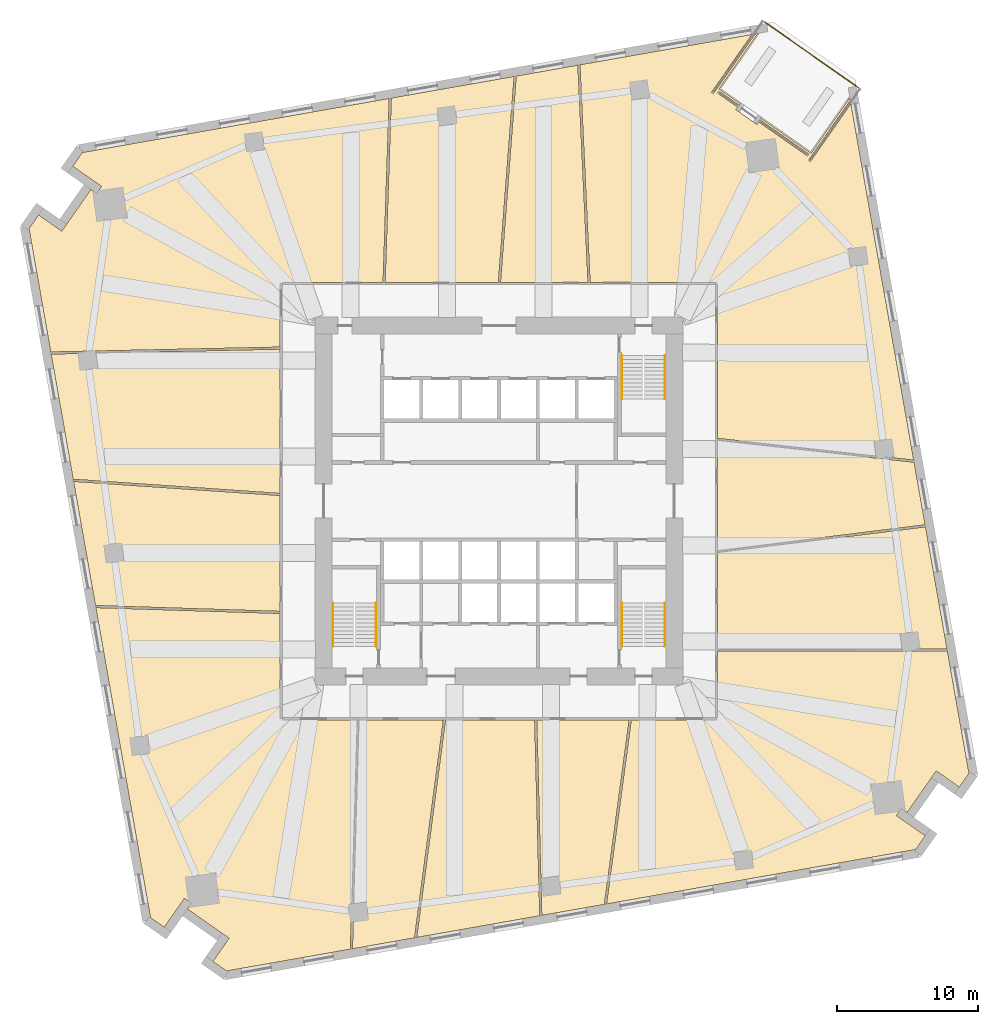
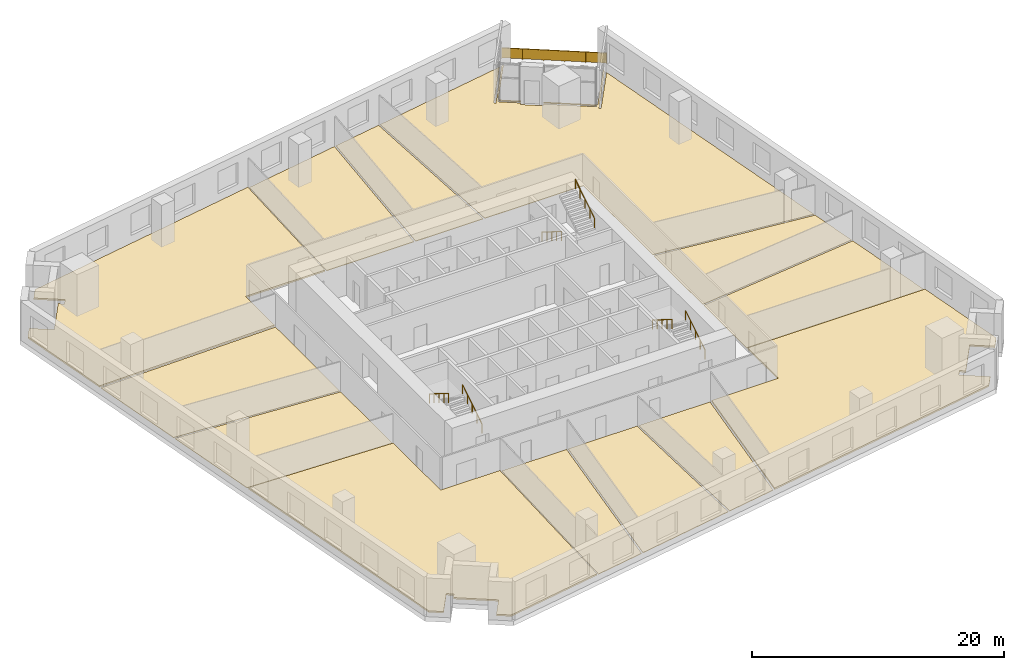
# One storey, part 9 of 10: 13 coverings, 7 railings.
"""IFC4 building model written with IfcOpenShell, lengths in metres."""

from ifc_helpers import new_model, si_unit, direction, frame, origin, origin_2d, place, context, subcontext, project, spatial, polyline, rectangle, circle, outline, extrude, material, layer, layer_set, type_object, element, save


model = new_model("IFC4")

# Units and contexts
model_context = context("Model", 3, precision=1e-05, world=origin(), true_north=direction((0.0, 1.0)))
body_context = subcontext(model_context, "Body", "Model", "MODEL_VIEW")
ifc_project = project(units=[si_unit("LENGTHUNIT", "METRE"), si_unit("AREAUNIT", "SQUARE_METRE"), si_unit("VOLUMEUNIT", "CUBIC_METRE"), si_unit("PLANEANGLEUNIT", "RADIAN"), si_unit("MASSUNIT", "GRAM", prefix="KILO")], contexts=[model_context])

# Site, building, storey
site_placement = place(None, origin())
site = spatial("IfcSite", under=ifc_project, at=site_placement, CompositionType="ELEMENT")
building_placement = place(site_placement, origin())
building = spatial("IfcBuilding", under=site, at=building_placement, Name="Dilmun Exchange Tower", CompositionType="ELEMENT")
storey_placement = place(building_placement, frame((0.0, 0.0, 59.699951171875)))
storey = spatial("IfcBuildingStorey", under=building, at=storey_placement, Name="L13", CompositionType="ELEMENT", Elevation=59.699951171875)

# Coverings
ifc_material_1 = material(Name="Carpet floor finish 50")
ifc_layer_1 = layer(ifc_material_1, 0.050048828125)
ifc_layer_set_1 = layer_set([ifc_layer_1], Name="Carpet floor finish 50")
covering_type_1 = type_object("IfcCoveringType", Name="Carpet floor finish 50", PredefinedType="FLOORING", material=ifc_layer_set_1)
covering_1_placement = place(storey_placement, origin())
element("IfcCovering", 1, at=covering_1_placement, inside=storey, type_object=covering_type_1, Name="Carpet floor finish 50 Settlement office 1", PredefinedType="FLOORING", context=body_context, shape_type="SweptSolid", body=[
    extrude(outline(polyline([(-15.47509765625, 10.740478515625), (-15.47509765625, 0.537841796875), (-30.122802734375, 1.539306640625), (-31.6845703125, 10.39599609375), (-15.47509765625, 10.740478515625)])), origin(), (0.0, 0.0, 1.0), 0.050048828125),
])
covering_2_placement = place(storey_placement, origin())
element("IfcCovering", 2, at=covering_2_placement, inside=storey, type_object=covering_type_1, Name="Carpet floor finish 50 Training room", PredefinedType="FLOORING", context=body_context, shape_type="SweptSolid", body=[
    extrude(outline(polyline([(-15.47509765625, 0.3876953125), (-15.47509765625, -7.806396484375), (-28.548095703125, -7.3916015625), (-30.09619140625, 1.38720703125), (-15.47509765625, 0.3876953125)])), origin(), (0.0, 0.0, 1.0), 0.050048828125),
])
covering_3_placement = place(storey_placement, origin())
element("IfcCovering", 3, at=covering_3_placement, inside=storey, type_object=covering_type_1, Name="Carpet floor finish 50 Settlement office 2", PredefinedType="FLOORING", context=body_context, shape_type="SweptSolid", body=[
    extrude(outline(polyline([(-9.8896484375, -15.47509765625), (-3.934814453125, -15.47509765625), (-5.976806640625, -30.905517578125), (-10.36474609375, -31.67919921875), (-9.8896484375, -15.47509765625)])), origin(), (0.0, 0.0, 1.0), 0.050048828125),
])
covering_4_placement = place(storey_placement, origin())
element("IfcCovering", 4, at=covering_4_placement, inside=storey, type_object=covering_type_1, Name="Carpet floor finish 50 Broker office 1", PredefinedType="FLOORING", context=body_context, shape_type="SweptSolid", body=[
    extrude(outline(polyline([(-0.044677734375, 15.47509765625), (-8.0537109375, 15.47509765625), (-7.616455078125, 28.508544921875), (1.068603515625, 30.0400390625), (-0.044677734375, 15.47509765625)])), origin(), (0.0, 0.0, 1.0), 0.050048828125),
])
covering_5_placement = place(storey_placement, origin())
element("IfcCovering", 5, at=covering_5_placement, inside=storey, type_object=covering_type_1, Name="Carpet floor finish 50 Settlement office 3", PredefinedType="FLOORING", context=body_context, shape_type="SweptSolid", body=[
    extrude(outline(polyline([(-3.783447265625, -15.47509765625), (2.5234375, -15.47509765625), (2.881103515625, -29.343505859375), (-5.822021484375, -30.878173828125), (-3.783447265625, -15.47509765625)])), origin(), (0.0, 0.0, 1.0), 0.050048828125),
])
covering_6_placement = place(storey_placement, origin())
element("IfcCovering", 6, at=covering_6_placement, inside=storey, type_object=covering_type_1, Name="Carpet floor finish 50 Broker office 2", PredefinedType="FLOORING", context=body_context, shape_type="SweptSolid", body=[
    extrude(outline(polyline([(6.29541015625, 15.47509765625), (0.10595703125, 15.47509765625), (1.22119140625, 30.06689453125), (5.5771484375, 30.8349609375), (6.29541015625, 15.47509765625)])), origin(), (0.0, 0.0, 1.0), 0.050048828125),
])
covering_7_placement = place(storey_placement, origin())
element("IfcCovering", 7, at=covering_7_placement, inside=storey, type_object=covering_type_1, Name="Carpet floor finish 50 Meeting room", PredefinedType="FLOORING", context=body_context, shape_type="SweptSolid", body=[
    extrude(outline(polyline([(2.67333984375, -15.47509765625), (9.2109375, -15.47509765625), (7.45361328125, -28.537353515625), (3.030517578125, -29.317138671875), (2.67333984375, -15.47509765625)])), origin(), (0.0, 0.0, 1.0), 0.050048828125),
])
covering_8_placement = place(storey_placement, origin())
element("IfcCovering", 8, at=covering_8_placement, inside=storey, type_object=covering_type_1, Name="Carpet floor finish 50 Garden lounge", PredefinedType="FLOORING", context=body_context, shape_type="SweptSolid", body=[
    extrude(outline(polyline([(15.5751953125, 29.15478515625), (17.0595703125, 28.115478515625), (16.9775390625, 27.998291015625), (15.5546875, 28.994873046875), (15.554443359375, 28.994873046875), (15.55419921875, 28.9951171875), (15.55419921875, 28.9951171875), (15.553955078125, 28.9951171875), (15.5537109375, 28.9951171875), (15.553466796875, 28.9951171875), (15.55322265625, 28.9951171875), (15.552978515625, 28.9951171875), (15.552978515625, 28.9951171875), (15.552734375, 28.9951171875), (15.552490234375, 28.994873046875), (15.552490234375, 28.994873046875), (15.55224609375, 28.99462890625), (15.552001953125, 28.99462890625), (15.552001953125, 28.994384765625), (15.5517578125, 28.994384765625), (15.460205078125, 28.86328125), (15.4599609375, 28.863037109375), (15.4599609375, 28.86279296875), (15.459716796875, 28.86279296875), (15.459716796875, 28.862548828125), (15.459716796875, 28.8623046875), (15.459716796875, 28.862060546875), (15.459716796875, 28.86181640625), (15.459716796875, 28.86181640625), (15.459716796875, 28.861572265625), (15.4599609375, 28.861328125), (15.4599609375, 28.861083984375), (15.4599609375, 28.861083984375), (15.460205078125, 28.86083984375), (15.460205078125, 28.860595703125), (15.46044921875, 28.860595703125), (15.460693359375, 28.8603515625), (16.883544921875, 27.864013671875), (16.758544921875, 27.685546875), (16.75830078125, 27.685302734375), (16.75830078125, 27.685302734375), (16.75830078125, 27.68505859375), (16.75830078125, 27.684814453125), (16.758056640625, 27.6845703125), (16.758056640625, 27.684326171875), (16.758056640625, 27.68408203125), (16.75830078125, 27.68408203125), (16.75830078125, 27.683837890625), (16.75830078125, 27.68359375), (16.75830078125, 27.68359375), (16.75830078125, 27.683349609375), (16.758544921875, 27.68310546875), (16.7587890625, 27.68310546875), (16.7587890625, 27.682861328125), (16.759033203125, 27.6826171875), (18.2333984375, 26.650146484375), (18.233642578125, 26.650146484375), (18.23388671875, 26.64990234375), (18.23388671875, 26.64990234375), (18.234130859375, 26.64990234375), (18.234375, 26.64990234375), (18.234619140625, 26.64990234375), (18.23486328125, 26.64990234375), (18.235107421875, 26.64990234375), (18.235107421875, 26.64990234375), (18.2353515625, 26.64990234375), (18.235595703125, 26.650146484375), (18.235595703125, 26.650146484375), (18.23583984375, 26.650390625), (18.236083984375, 26.650390625), (18.236083984375, 26.650634765625), (18.236328125, 26.650634765625), (18.361328125, 26.829345703125), (21.83203125, 24.39892578125), (21.832275390625, 24.39892578125), (21.83251953125, 24.398681640625), (21.83251953125, 24.398681640625), (21.832763671875, 24.398681640625), (21.8330078125, 24.398681640625), (21.833251953125, 24.398681640625), (21.83349609375, 24.398681640625), (21.83349609375, 24.398681640625), (21.833740234375, 24.398681640625), (21.833984375, 24.398681640625), (21.833984375, 24.39892578125), (21.834228515625, 24.39892578125), (21.83447265625, 24.399169921875), (21.834716796875, 24.399169921875), (21.834716796875, 24.3994140625), (21.8349609375, 24.3994140625), (21.926513671875, 24.530517578125), (21.9267578125, 24.53076171875), (21.9267578125, 24.531005859375), (21.927001953125, 24.531005859375), (21.927001953125, 24.53125), (21.927001953125, 24.531494140625), (21.927001953125, 24.53173828125), (21.927001953125, 24.531982421875), (21.927001953125, 24.531982421875), (21.927001953125, 24.5322265625), (21.927001953125, 24.532470703125), (21.9267578125, 24.53271484375), (21.9267578125, 24.53271484375), (21.926513671875, 24.532958984375), (21.926513671875, 24.533203125), (21.92626953125, 24.533203125), (21.926025390625, 24.533447265625), (18.455322265625, 26.963623046875), (18.537353515625, 27.080810546875), (22.069580078125, 24.607421875), (24.81982421875, 28.535400390625), (24.85498046875, 28.336181640625), (21.885498046875, 24.095458984375), (21.885498046875, 24.09521484375), (21.885498046875, 24.09521484375), (21.885498046875, 24.094970703125), (21.88525390625, 24.0947265625), (21.88525390625, 24.094482421875), (21.88525390625, 24.09423828125), (21.88525390625, 24.093994140625), (21.88525390625, 24.093994140625), (21.88525390625, 24.09375), (21.885498046875, 24.093505859375), (21.885498046875, 24.093505859375), (21.885498046875, 24.09326171875), (21.8857421875, 24.093017578125), (21.8857421875, 24.093017578125), (21.885986328125, 24.0927734375), (21.885986328125, 24.092529296875), (22.01708984375, 24.0009765625), (22.017333984375, 24.000732421875), (22.017578125, 24.000732421875), (22.017578125, 24.00048828125), (22.017822265625, 24.00048828125), (22.01806640625, 24.00048828125), (22.018310546875, 24.00048828125), (22.0185546875, 24.00048828125), (22.018798828125, 24.00048828125), (22.018798828125, 24.00048828125), (22.01904296875, 24.000732421875), (22.019287109375, 24.000732421875), (22.019287109375, 24.000732421875), (22.01953125, 24.0009765625), (22.019775390625, 24.001220703125), (22.02001953125, 24.001220703125), (22.02001953125, 24.00146484375), (24.895263671875, 28.10791015625), (29.34130859375, 2.892822265625), (15.47509765625, 4.431884765625), (15.47509765625, 15.47509765625), (6.445556640625, 15.47509765625), (5.72607421875, 30.861083984375), (17.89794921875, 33.007568359375), (15.022705078125, 28.90087890625), (15.0224609375, 28.90087890625), (15.0224609375, 28.900634765625), (15.0224609375, 28.900390625), (15.022216796875, 28.900146484375), (15.022216796875, 28.89990234375), (15.022216796875, 28.89990234375), (15.022216796875, 28.899658203125), (15.022216796875, 28.8994140625), (15.022216796875, 28.899169921875), (15.0224609375, 28.899169921875), (15.0224609375, 28.89892578125), (15.022705078125, 28.898681640625), (15.022705078125, 28.898681640625), (15.022705078125, 28.8984375), (15.02294921875, 28.898193359375), (15.023193359375, 28.898193359375), (15.154296875, 28.806396484375), (15.154296875, 28.806396484375), (15.154541015625, 28.80615234375), (15.15478515625, 28.80615234375), (15.15478515625, 28.80615234375), (15.155029296875, 28.805908203125), (15.1552734375, 28.805908203125), (15.155517578125, 28.805908203125), (15.15576171875, 28.805908203125), (15.156005859375, 28.80615234375), (15.156005859375, 28.80615234375), (15.15625, 28.80615234375), (15.156494140625, 28.806396484375), (15.156494140625, 28.806396484375), (15.15673828125, 28.806640625), (15.156982421875, 28.806640625), (15.156982421875, 28.806884765625), (18.12646484375, 33.047607421875), (18.32568359375, 33.082763671875), (15.5751953125, 29.15478515625)])), origin(), (0.0, 0.0, 1.0), 0.050048828125),
])
covering_9_placement = place(storey_placement, origin())
element("IfcCovering", 9, at=covering_9_placement, inside=storey, type_object=covering_type_1, Name="Carpet floor finish 50 Clearing office", PredefinedType="FLOORING", context=body_context, shape_type="SweptSolid", body=[
    extrude(outline(polyline([(15.47509765625, -3.50244140625), (15.47509765625, 4.281005859375), (29.368408203125, 2.739013671875), (30.1484375, -1.68359375), (15.47509765625, -3.50244140625)])), origin(), (0.0, 0.0, 1.0), 0.050048828125),
])
covering_10_placement = place(storey_placement, origin())
element("IfcCovering", 10, at=covering_10_placement, inside=storey, type_object=covering_type_1, Name="Carpet floor finish 50 Settlement office 4", PredefinedType="FLOORING", context=body_context, shape_type="SweptSolid", body=[
    extrude(outline(polyline([(15.47509765625, -10.462646484375), (15.47509765625, -3.653564453125), (30.174560546875, -1.83154296875), (31.697998046875, -10.47216796875), (15.47509765625, -10.462646484375)])), origin(), (0.0, 0.0, 1.0), 0.050048828125),
])
ifc_material_2 = material(Name="Raised access floor 150")
ifc_layer_2 = layer(ifc_material_2, 0.14990234375)
ifc_layer_set_2 = layer_set([ifc_layer_2], Name="Raised access floor 150")
covering_type_2 = type_object("IfcCoveringType", Name="Raised access floor 150", PredefinedType="FLOORING", material=ifc_layer_set_2)
covering_11_placement = place(storey_placement, origin())
element("IfcCovering", 11, at=covering_11_placement, inside=storey, type_object=covering_type_2, Name="Raised access floor 150 Market operations room 1", PredefinedType="FLOORING", context=body_context, shape_type="SweptSolid", body=[
    extrude(outline(polyline([(-8.20361328125, 15.47509765625), (-15.47509765625, 15.47509765625), (-15.47509765625, 10.890625), (-31.7109375, 10.54541015625), (-33.249267578125, 19.269775390625), (-32.570068359375, 20.23974609375), (-30.933349609375, 19.09375), (-30.933349609375, 19.093505859375), (-30.93310546875, 19.093505859375), (-30.932861328125, 19.093505859375), (-30.9326171875, 19.093505859375), (-30.9326171875, 19.093505859375), (-30.932373046875, 19.093505859375), (-30.93212890625, 19.093505859375), (-30.931884765625, 19.093505859375), (-30.931640625, 19.093505859375), (-30.931640625, 19.093505859375), (-30.931396484375, 19.093505859375), (-30.93115234375, 19.09375), (-30.930908203125, 19.09375), (-30.930908203125, 19.093994140625), (-30.930908203125, 19.093994140625), (-30.9306640625, 19.09423828125), (-30.58642578125, 19.585693359375), (-30.58642578125, 19.5859375), (-30.58642578125, 19.5859375), (-28.866943359375, 22.04150390625), (-28.460205078125, 21.756591796875), (-28.4599609375, 21.756591796875), (-28.459716796875, 21.756591796875), (-28.459716796875, 21.756591796875), (-28.45947265625, 21.75634765625), (-28.459228515625, 21.75634765625), (-28.458984375, 21.75634765625), (-28.458740234375, 21.75634765625), (-28.45849609375, 21.75634765625), (-28.45849609375, 21.75634765625), (-28.458251953125, 21.756591796875), (-28.4580078125, 21.756591796875), (-28.4580078125, 21.756591796875), (-28.457763671875, 21.7568359375), (-28.45751953125, 21.7568359375), (-28.45751953125, 21.757080078125), (-28.457275390625, 21.757080078125), (-28.11328125, 22.248779296875), (-28.113037109375, 22.248779296875), (-28.113037109375, 22.2490234375), (-28.11279296875, 22.249267578125), (-28.11279296875, 22.24951171875), (-28.11279296875, 22.24951171875), (-28.11279296875, 22.249755859375), (-28.11279296875, 22.25), (-28.11279296875, 22.250244140625), (-28.11279296875, 22.25048828125), (-28.113037109375, 22.25048828125), (-28.113037109375, 22.250732421875), (-28.113037109375, 22.2509765625), (-28.11328125, 22.251220703125), (-28.11328125, 22.251220703125), (-28.113525390625, 22.25146484375), (-28.11376953125, 22.25146484375), (-30.15869140625, 23.683349609375), (-29.4794921875, 24.653564453125), (-7.767333984375, 28.48193359375), (-8.20361328125, 15.47509765625)])), origin(), (0.0, 0.0, 1.0), 0.150146484375),
])
covering_12_placement = place(storey_placement, origin())
element("IfcCovering", 12, at=covering_12_placement, inside=storey, type_object=covering_type_2, Name="Raised access floor 150 Market operations room 2", PredefinedType="FLOORING", context=body_context, shape_type="SweptSolid", body=[
    extrude(outline(polyline([(-15.47509765625, -7.956298828125), (-15.47509765625, -15.47509765625), (-10.03955078125, -15.47509765625), (-10.515380859375, -31.705810546875), (-19.269775390625, -33.249267578125), (-20.23974609375, -32.570068359375), (-19.09375, -30.933349609375), (-19.093505859375, -30.933349609375), (-19.093505859375, -30.93310546875), (-19.093505859375, -30.932861328125), (-19.093505859375, -30.9326171875), (-19.093505859375, -30.9326171875), (-19.093505859375, -30.932373046875), (-19.093505859375, -30.93212890625), (-19.093505859375, -30.931884765625), (-19.093505859375, -30.931640625), (-19.093505859375, -30.931640625), (-19.093505859375, -30.931396484375), (-19.09375, -30.93115234375), (-19.09375, -30.930908203125), (-19.093994140625, -30.930908203125), (-19.093994140625, -30.930908203125), (-19.09423828125, -30.9306640625), (-19.585693359375, -30.58642578125), (-19.5859375, -30.58642578125), (-19.5859375, -30.58642578125), (-22.04150390625, -28.866943359375), (-21.756591796875, -28.460205078125), (-21.756591796875, -28.4599609375), (-21.756591796875, -28.459716796875), (-21.756591796875, -28.459716796875), (-21.75634765625, -28.45947265625), (-21.75634765625, -28.459228515625), (-21.75634765625, -28.458984375), (-21.75634765625, -28.458740234375), (-21.75634765625, -28.45849609375), (-21.75634765625, -28.45849609375), (-21.756591796875, -28.458251953125), (-21.756591796875, -28.4580078125), (-21.756591796875, -28.4580078125), (-21.7568359375, -28.457763671875), (-21.7568359375, -28.45751953125), (-21.757080078125, -28.45751953125), (-21.757080078125, -28.457275390625), (-22.248779296875, -28.11328125), (-22.248779296875, -28.113037109375), (-22.2490234375, -28.113037109375), (-22.249267578125, -28.11279296875), (-22.24951171875, -28.11279296875), (-22.24951171875, -28.11279296875), (-22.249755859375, -28.11279296875), (-22.25, -28.11279296875), (-22.250244140625, -28.11279296875), (-22.25048828125, -28.11279296875), (-22.25048828125, -28.113037109375), (-22.250732421875, -28.113037109375), (-22.2509765625, -28.113037109375), (-22.251220703125, -28.11328125), (-22.251220703125, -28.11328125), (-22.25146484375, -28.113525390625), (-22.25146484375, -28.11376953125), (-23.683349609375, -30.15869140625), (-24.653564453125, -29.4794921875), (-28.521484375, -7.54248046875), (-15.47509765625, -7.956298828125)])), origin(), (0.0, 0.0, 1.0), 0.150146484375),
])
covering_13_placement = place(storey_placement, origin())
element("IfcCovering", 13, at=covering_13_placement, inside=storey, type_object=covering_type_2, Name="Raised access floor 150 Market operations room 3", PredefinedType="FLOORING", context=body_context, shape_type="SweptSolid", body=[
    extrude(outline(polyline([(9.3623046875, -15.47509765625), (15.47509765625, -15.47509765625), (15.47509765625, -10.61279296875), (31.724609375, -10.6220703125), (33.249267578125, -19.269775390625), (32.570068359375, -20.23974609375), (30.933349609375, -19.09375), (30.933349609375, -19.093505859375), (30.93310546875, -19.093505859375), (30.932861328125, -19.093505859375), (30.9326171875, -19.093505859375), (30.9326171875, -19.093505859375), (30.932373046875, -19.093505859375), (30.93212890625, -19.093505859375), (30.931884765625, -19.093505859375), (30.931640625, -19.093505859375), (30.931640625, -19.093505859375), (30.931396484375, -19.093505859375), (30.93115234375, -19.09375), (30.930908203125, -19.09375), (30.930908203125, -19.093994140625), (30.930908203125, -19.093994140625), (30.9306640625, -19.09423828125), (30.58642578125, -19.585693359375), (30.58642578125, -19.5859375), (30.58642578125, -19.5859375), (28.866943359375, -22.04150390625), (28.460205078125, -21.756591796875), (28.4599609375, -21.756591796875), (28.459716796875, -21.756591796875), (28.459716796875, -21.756591796875), (28.45947265625, -21.75634765625), (28.459228515625, -21.75634765625), (28.458984375, -21.75634765625), (28.458740234375, -21.75634765625), (28.45849609375, -21.75634765625), (28.45849609375, -21.75634765625), (28.458251953125, -21.756591796875), (28.4580078125, -21.756591796875), (28.4580078125, -21.756591796875), (28.457763671875, -21.7568359375), (28.45751953125, -21.7568359375), (28.45751953125, -21.757080078125), (28.457275390625, -21.757080078125), (28.11328125, -22.248779296875), (28.113037109375, -22.248779296875), (28.113037109375, -22.2490234375), (28.11279296875, -22.249267578125), (28.11279296875, -22.24951171875), (28.11279296875, -22.24951171875), (28.11279296875, -22.249755859375), (28.11279296875, -22.25), (28.11279296875, -22.250244140625), (28.11279296875, -22.25048828125), (28.113037109375, -22.25048828125), (28.113037109375, -22.250732421875), (28.113037109375, -22.2509765625), (28.11328125, -22.251220703125), (28.11328125, -22.251220703125), (28.113525390625, -22.25146484375), (28.11376953125, -22.25146484375), (30.15869140625, -23.683349609375), (29.4794921875, -24.653564453125), (7.6083984375, -28.510009765625), (9.3623046875, -15.47509765625)])), origin(), (0.0, 0.0, 1.0), 0.150146484375),
])

# Railings
ifc_material_3 = material(Name="Stainless steel", Category="steel")
railing_type_1 = type_object("IfcRailingType", Name="Stair handrail 900", PredefinedType="HANDRAIL", material=ifc_material_3)
railing_1_placement = place(storey_placement, frame((8.699951171875, 10.300048828125, 0.175048828125)))
element("IfcRailing", 14, at=railing_1_placement, inside=storey, type_object=railing_type_1, Name="L13 ST1 stair handrail 1", PredefinedType="HANDRAIL", context=body_context, shape_type="SweptSolid", body=[
    extrude(circle(Radius=0.02392578125, at=origin_2d()), frame((0.0, 0.0, 0.8759765625), z_axis=(0.0, -0.847998304005, 0.529998940003), x_axis=(1.0, 0.0, 0.0)), (0.0, 0.0, 1.0), 3.632080078125),
    extrude(circle(Radius=0.02099609375, at=origin_2d()), origin(), (0.0, 0.0, 1.0), 0.851806640625),
    extrude(circle(Radius=0.02099609375, at=origin_2d()), frame((0.0, -0.77001953125, 0.481201171875)), (0.0, 0.0, 1.0), 0.851806640625),
    extrude(circle(Radius=0.02099609375, at=origin_2d()), frame((0.0, -1.5400390625, 0.96240234375)), (0.0, 0.0, 1.0), 0.851806640625),
    extrude(circle(Radius=0.02099609375, at=origin_2d()), frame((0.0, -2.31005859375, 1.44384765625)), (0.0, 0.0, 1.0), 0.851806640625),
    extrude(circle(Radius=0.02099609375, at=origin_2d()), frame((0.0, -3.080078125, 1.925048828125)), (0.0, 0.0, 1.0), 0.851806640625),
])
railing_2_placement = place(storey_placement, frame((11.75, 7.219970703125, 2.275146484375)))
element("IfcRailing", 15, at=railing_2_placement, inside=storey, type_object=railing_type_1, Name="L13 ST1 stair handrail 2", PredefinedType="HANDRAIL", context=body_context, shape_type="SweptSolid", body=[
    extrude(circle(Radius=0.02392578125, at=origin_2d()), frame((0.0, 0.0, 0.8759765625), z_axis=(0.0, 0.848028513186, 0.529950602248), x_axis=(-1.0, 0.0, 0.0)), (0.0, 0.0, 1.0), 3.632080078125),
    extrude(circle(Radius=0.02099609375, at=origin_2d()), origin(), (0.0, 0.0, 1.0), 0.851806640625),
    extrude(circle(Radius=0.02099609375, at=origin_2d()), frame((0.0, 0.77001953125, 0.481201171875)), (0.0, 0.0, 1.0), 0.851806640625),
    extrude(circle(Radius=0.02099609375, at=origin_2d()), frame((0.0, 1.5400390625, 0.96240234375)), (0.0, 0.0, 1.0), 0.851806640625),
    extrude(circle(Radius=0.02099609375, at=origin_2d()), frame((0.0, 2.31005859375, 1.443603515625)), (0.0, 0.0, 1.0), 0.851806640625),
    extrude(circle(Radius=0.02099609375, at=origin_2d()), frame((0.0, 3.080078125, 1.9248046875)), (0.0, 0.0, 1.0), 0.851806640625),
])
railing_3_placement = place(storey_placement, frame((-8.699951171875, -10.300048828125, 0.175048828125)))
element("IfcRailing", 16, at=railing_3_placement, inside=storey, type_object=railing_type_1, Name="L13 ST2 stair handrail 1", PredefinedType="HANDRAIL", context=body_context, shape_type="SweptSolid", body=[
    extrude(circle(Radius=0.02392578125, at=origin_2d()), frame((0.0, 0.0, 0.8759765625), z_axis=(0.0, 0.847998304005, 0.529998940003), x_axis=(-1.0, 0.0, 0.0)), (0.0, 0.0, 1.0), 3.632080078125),
    extrude(circle(Radius=0.02099609375, at=origin_2d()), origin(), (0.0, 0.0, 1.0), 0.851806640625),
    extrude(circle(Radius=0.02099609375, at=origin_2d()), frame((0.0, 0.77001953125, 0.481201171875)), (0.0, 0.0, 1.0), 0.851806640625),
    extrude(circle(Radius=0.02099609375, at=origin_2d()), frame((0.0, 1.5400390625, 0.96240234375)), (0.0, 0.0, 1.0), 0.851806640625),
    extrude(circle(Radius=0.02099609375, at=origin_2d()), frame((0.0, 2.31005859375, 1.44384765625)), (0.0, 0.0, 1.0), 0.851806640625),
    extrude(circle(Radius=0.02099609375, at=origin_2d()), frame((0.0, 3.080078125, 1.925048828125)), (0.0, 0.0, 1.0), 0.851806640625),
])
railing_4_placement = place(storey_placement, frame((-11.75, -7.219970703125, 2.275146484375)))
element("IfcRailing", 17, at=railing_4_placement, inside=storey, type_object=railing_type_1, Name="L13 ST2 stair handrail 2", PredefinedType="HANDRAIL", context=body_context, shape_type="SweptSolid", body=[
    extrude(circle(Radius=0.02392578125, at=origin_2d()), frame((0.0, 0.0, 0.8759765625), z_axis=(0.0, -0.848028513186, 0.529950602248), x_axis=(1.0, 0.0, 0.0)), (0.0, 0.0, 1.0), 3.632080078125),
    extrude(circle(Radius=0.02099609375, at=origin_2d()), origin(), (0.0, 0.0, 1.0), 0.851806640625),
    extrude(circle(Radius=0.02099609375, at=origin_2d()), frame((0.0, -0.77001953125, 0.481201171875)), (0.0, 0.0, 1.0), 0.851806640625),
    extrude(circle(Radius=0.02099609375, at=origin_2d()), frame((0.0, -1.5400390625, 0.96240234375)), (0.0, 0.0, 1.0), 0.851806640625),
    extrude(circle(Radius=0.02099609375, at=origin_2d()), frame((0.0, -2.31005859375, 1.443603515625)), (0.0, 0.0, 1.0), 0.851806640625),
    extrude(circle(Radius=0.02099609375, at=origin_2d()), frame((0.0, -3.080078125, 1.9248046875)), (0.0, 0.0, 1.0), 0.851806640625),
])
railing_5_placement = place(storey_placement, frame((11.75, -10.300048828125, 0.175048828125)))
element("IfcRailing", 18, at=railing_5_placement, inside=storey, type_object=railing_type_1, Name="L13 ST3 stair handrail 1", PredefinedType="HANDRAIL", context=body_context, shape_type="SweptSolid", body=[
    extrude(circle(Radius=0.02392578125, at=origin_2d()), frame((0.0, 0.0, 0.8759765625), z_axis=(0.0, 0.847998304005, 0.529998940003), x_axis=(-1.0, 0.0, 0.0)), (0.0, 0.0, 1.0), 3.632080078125),
    extrude(circle(Radius=0.02099609375, at=origin_2d()), origin(), (0.0, 0.0, 1.0), 0.851806640625),
    extrude(circle(Radius=0.02099609375, at=origin_2d()), frame((0.0, 0.77001953125, 0.481201171875)), (0.0, 0.0, 1.0), 0.851806640625),
    extrude(circle(Radius=0.02099609375, at=origin_2d()), frame((0.0, 1.5400390625, 0.96240234375)), (0.0, 0.0, 1.0), 0.851806640625),
    extrude(circle(Radius=0.02099609375, at=origin_2d()), frame((0.0, 2.31005859375, 1.44384765625)), (0.0, 0.0, 1.0), 0.851806640625),
    extrude(circle(Radius=0.02099609375, at=origin_2d()), frame((0.0, 3.080078125, 1.925048828125)), (0.0, 0.0, 1.0), 0.851806640625),
])
railing_6_placement = place(storey_placement, frame((8.699951171875, -7.219970703125, 2.275146484375)))
element("IfcRailing", 19, at=railing_6_placement, inside=storey, type_object=railing_type_1, Name="L13 ST3 stair handrail 2", PredefinedType="HANDRAIL", context=body_context, shape_type="SweptSolid", body=[
    extrude(circle(Radius=0.02392578125, at=origin_2d()), frame((0.0, 0.0, 0.8759765625), z_axis=(0.0, -0.848028513186, 0.529950602248), x_axis=(1.0, 0.0, 0.0)), (0.0, 0.0, 1.0), 3.632080078125),
    extrude(circle(Radius=0.02099609375, at=origin_2d()), origin(), (0.0, 0.0, 1.0), 0.851806640625),
    extrude(circle(Radius=0.02099609375, at=origin_2d()), frame((0.0, -0.77001953125, 0.481201171875)), (0.0, 0.0, 1.0), 0.851806640625),
    extrude(circle(Radius=0.02099609375, at=origin_2d()), frame((0.0, -1.5400390625, 0.96240234375)), (0.0, 0.0, 1.0), 0.851806640625),
    extrude(circle(Radius=0.02099609375, at=origin_2d()), frame((0.0, -2.31005859375, 1.443603515625)), (0.0, 0.0, 1.0), 0.851806640625),
    extrude(circle(Radius=0.02099609375, at=origin_2d()), frame((0.0, -3.080078125, 1.9248046875)), (0.0, 0.0, 1.0), 0.851806640625),
])
railing_type_2 = type_object("IfcRailingType", Name="Terrace guard 1100 stainless steel", PredefinedType="GUARDRAIL", material=ifc_material_3)
railing_7_placement = place(storey_placement, frame((18.672607421875, 33.970703125, 0.0)))
element("IfcRailing", 20, at=railing_7_placement, inside=storey, type_object=railing_type_2, Name="Terrace guard 1", PredefinedType="GUARDRAIL", context=body_context, shape_type="SweptSolid", body=[
    extrude(circle(Radius=0.02392578125, at=origin_2d()), frame((0.0, 0.0, 1.076171875), z_axis=(0.819159356891, -0.573565992732, 0.0), x_axis=(0.573565992732, 0.819159356891, 0.0)), (0.0, 0.0, 1.0), 8.378173828125),
    extrude(rectangle(XDim=0.011962890625, YDim=0.951904296875, at=origin_2d()), frame((0.0, 0.0, 0.576171875), z_axis=(0.819159356891, -0.573565992732, 0.0), x_axis=(0.573565992732, 0.819159356891, 0.0)), (0.0, 0.0, 1.0), 8.378173828125),
    extrude(circle(Radius=0.02099609375, at=origin_2d()), origin(), (0.0, 0.0, 1.0), 1.052001953125),
    extrude(circle(Radius=0.02099609375, at=origin_2d()), frame((1.37255859375, -0.961181640625, 0.0)), (0.0, 0.0, 1.0), 1.052001953125),
    extrude(circle(Radius=0.02099609375, at=origin_2d()), frame((2.7451171875, -1.922119140625, 0.0)), (0.0, 0.0, 1.0), 1.052001953125),
    extrude(circle(Radius=0.02099609375, at=origin_2d()), frame((4.117919921875, -2.88330078125, 0.0)), (0.0, 0.0, 1.0), 1.052001953125),
    extrude(circle(Radius=0.02099609375, at=origin_2d()), frame((5.490478515625, -3.84423828125, 0.0)), (0.0, 0.0, 1.0), 1.052001953125),
    extrude(circle(Radius=0.02099609375, at=origin_2d()), frame((6.863037109375, -4.805419921875, 0.0)), (0.0, 0.0, 1.0), 1.052001953125),
])

save(model, "model.ifc")
